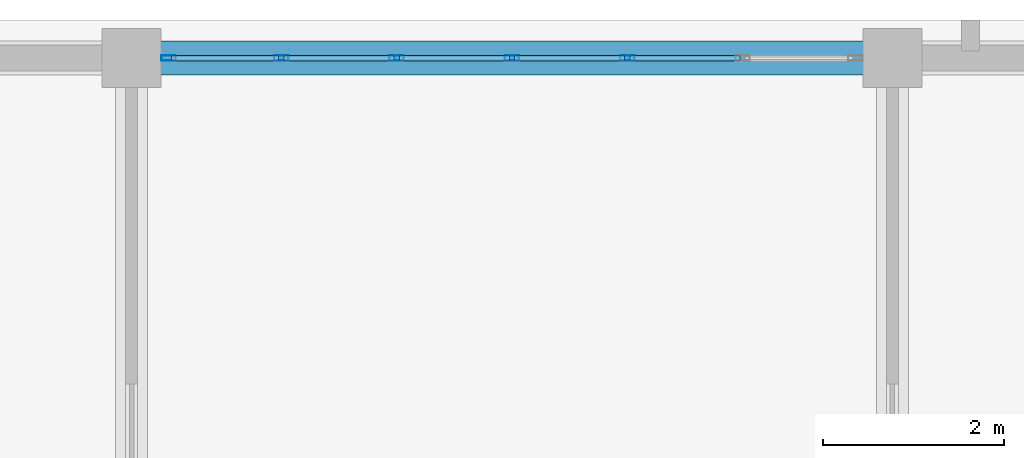
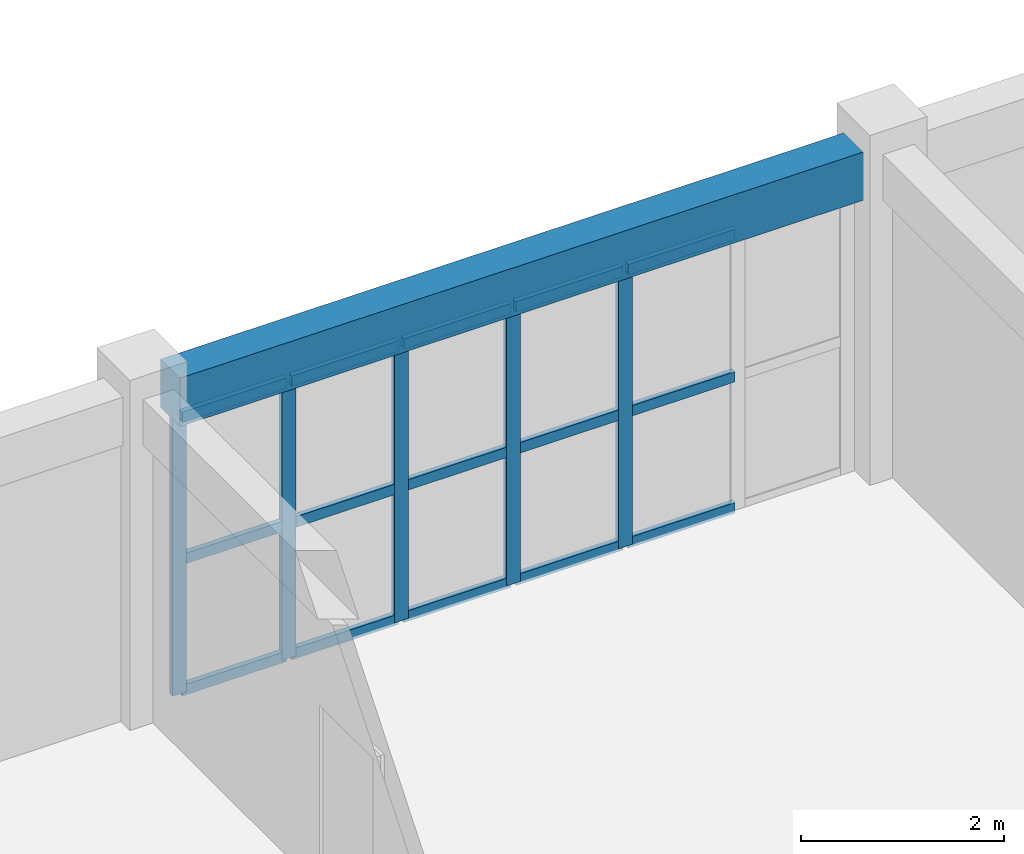
# One storey, part 41 of 90: 20 members, 1 beam, 1 element without a shape of its own.
"""IFC4 building model written with IfcOpenShell, lengths in metres."""

from ifc_helpers import new_model, si_unit, direction, frame, origin, origin_2d, place, context, subcontext, project, spatial, rectangle, hollow_rectangle, extrude, material, layer, layer_set, material_profile, profile_set, type_object, element, aggregate, save


model = new_model("IFC4")

# Units and contexts
model_context = context("Model", 3, precision=1e-05, world=origin(), true_north=direction((0.0, 1.0)))
body_context = subcontext(model_context, "Body", "Model", "MODEL_VIEW")
ifc_project = project(units=[si_unit("LENGTHUNIT", "METRE"), si_unit("AREAUNIT", "SQUARE_METRE"), si_unit("VOLUMEUNIT", "CUBIC_METRE"), si_unit("PLANEANGLEUNIT", "RADIAN"), si_unit("MASSUNIT", "GRAM", prefix="KILO")], contexts=[model_context])

# Site, building, storey
site_placement = place(None, origin())
site = spatial("IfcSite", under=ifc_project, at=site_placement, CompositionType="ELEMENT")
building_placement = place(site_placement, origin())
building = spatial("IfcBuilding", under=site, at=building_placement, Name="Trelvath General Hospital", CompositionType="ELEMENT")
storey_placement = place(building_placement, frame((0.0, 0.0, 20.39990234375)))
storey = spatial("IfcBuildingStorey", under=building, at=storey_placement, Name="L05", CompositionType="ELEMENT", Elevation=20.39990234375)

# Beam
ifc_material_1 = material(Name="Concrete C35/45", Category="concrete")
ifc_material_profile_1 = material_profile(ifc_material_1, rectangle(XDim=0.3798828125, YDim=0.580078125, at=origin_2d()), Name="RCB380x580")
ifc_profile_set_1 = profile_set([ifc_material_profile_1], Name="Concrete C35/45")
beam_type = type_object("IfcBeamType", Name="Beam RC380x580", PredefinedType="BEAM", material=ifc_profile_set_1)
beam_placement = place(storey_placement, frame((42.320068359375, 117.60009765625, 3.630126953125), z_axis=(1.0, 0.0, 0.0), x_axis=(0.0, 1.0, 0.0)))
element("IfcBeam", 1, at=beam_placement, inside=storey, type_object=beam_type, Name="Grid Beam BX-505O", PredefinedType="BEAM", context=body_context, shape_type="SweptSolid", body=[
    extrude(rectangle(XDim=0.3798828125, YDim=0.580078125, at=origin_2d()), origin(), (0.0, 0.0, 1.0), 7.760009765625),
])

# Curtain wall, members
ifc_material_2 = material(Name="Anodised aluminium and low-E glass", Category="aluminium")
ifc_layer = layer(ifc_material_2, 0.14990234375)
ifc_layer_set = layer_set([ifc_layer], Name="Anodised aluminium and low-E glass")
curtain_wall_type = type_object("IfcCurtainWallType", Name="CW Facade 764 334 15", PredefinedType="USERDEFINED", material=ifc_layer_set)
curtain_wall_placement = place(storey_placement, origin())
curtain_wall = element("IfcCurtainWall", 2, at=curtain_wall_placement, inside=storey, type_object=curtain_wall_type, Name="Facade Curtain Wall CW-069", ObjectType="Unitised Glazed Curtain Wall", PredefinedType="USERDEFINED")
ifc_material_3 = material(Name="Anodised aluminium", Category="aluminium")
ifc_material_profile_2 = material_profile(ifc_material_3, hollow_rectangle(XDim=0.06005859375, YDim=0.159912109375, WallThickness=0.00390625, at=origin_2d()), Name="RHS60x160x4")
ifc_profile_set_2 = profile_set([ifc_material_profile_2], Name="Anodised aluminium")
member_type_1 = type_object("IfcMemberType", Name="CurtainMullion 60x160", PredefinedType="MULLION", material=ifc_profile_set_2)
member_1_placement = place(storey_placement, frame((42.409912109375, 117.60009765625, 0.0), z_axis=(0.0, 0.0, 1.0), x_axis=(0.0, 1.0, 0.0)))
member_1 = element("IfcMember", 3, at=member_1_placement, type_object=member_type_1, Name="CW-069 mullion 1", PredefinedType="MULLION", context=body_context, shape_type="SweptSolid", body=[
    extrude(hollow_rectangle(XDim=0.06005859375, YDim=0.159912109375, WallThickness=0.00390625, at=origin_2d()), origin(), (0.0, 0.0, 1.0), 3.340087890625),
])
member_2_placement = place(storey_placement, frame((43.6533203125, 117.60009765625, 0.0), z_axis=(0.0, 0.0, 1.0), x_axis=(0.0, 1.0, 0.0)))
member_2 = element("IfcMember", 4, at=member_2_placement, type_object=member_type_1, Name="CW-069 mullion 2", PredefinedType="MULLION", context=body_context, shape_type="SweptSolid", body=[
    extrude(hollow_rectangle(XDim=0.06005859375, YDim=0.159912109375, WallThickness=0.00390625, at=origin_2d()), origin(), (0.0, 0.0, 1.0), 3.340087890625),
])
member_3_placement = place(storey_placement, frame((44.9267578125, 117.60009765625, 0.0), z_axis=(0.0, 0.0, 1.0), x_axis=(0.0, 1.0, 0.0)))
member_3 = element("IfcMember", 5, at=member_3_placement, type_object=member_type_1, Name="CW-069 mullion 3", PredefinedType="MULLION", context=body_context, shape_type="SweptSolid", body=[
    extrude(hollow_rectangle(XDim=0.06005859375, YDim=0.159912109375, WallThickness=0.00390625, at=origin_2d()), origin(), (0.0, 0.0, 1.0), 3.340087890625),
])
member_4_placement = place(storey_placement, frame((46.199951171875, 117.60009765625, 0.0), z_axis=(0.0, 0.0, 1.0), x_axis=(0.0, 1.0, 0.0)))
member_4 = element("IfcMember", 6, at=member_4_placement, type_object=member_type_1, Name="CW-069 mullion 4", PredefinedType="MULLION", context=body_context, shape_type="SweptSolid", body=[
    extrude(hollow_rectangle(XDim=0.06005859375, YDim=0.159912109375, WallThickness=0.00390625, at=origin_2d()), origin(), (0.0, 0.0, 1.0), 3.340087890625),
])
member_5_placement = place(storey_placement, frame((47.473388671875, 117.60009765625, 0.0), z_axis=(0.0, 0.0, 1.0), x_axis=(0.0, 1.0, 0.0)))
member_5 = element("IfcMember", 7, at=member_5_placement, type_object=member_type_1, Name="CW-069 mullion 5", PredefinedType="MULLION", context=body_context, shape_type="SweptSolid", body=[
    extrude(hollow_rectangle(XDim=0.06005859375, YDim=0.159912109375, WallThickness=0.00390625, at=origin_2d()), origin(), (0.0, 0.0, 1.0), 3.340087890625),
])
ifc_material_4 = material(Name="Anodised aluminium", Category="aluminium")
ifc_material_profile_3 = material_profile(ifc_material_4, hollow_rectangle(XDim=0.06005859375, YDim=0.125, WallThickness=0.00390625, at=origin_2d()), Name="RHS60x125x4")
ifc_profile_set_3 = profile_set([ifc_material_profile_3], Name="Anodised aluminium")
member_type_2 = type_object("IfcMemberType", Name="CurtainTransom 60x125", PredefinedType="USERDEFINED", material=ifc_profile_set_3)
member_6_placement = place(storey_placement, frame((42.43994140625, 117.60009765625, 0.030029296875), z_axis=(1.0, 0.0, 0.0), x_axis=(0.0, 1.0, 0.0)))
member_6 = element("IfcMember", 8, at=member_6_placement, type_object=member_type_2, Name="CW-069 transom 1.1", ObjectType="TRANSOM", PredefinedType="USERDEFINED", context=body_context, shape_type="SweptSolid", body=[
    extrude(hollow_rectangle(XDim=0.06005859375, YDim=0.125, WallThickness=0.00390625, at=origin_2d()), origin(), (0.0, 0.0, 1.0), 1.183349609375),
])
member_7_placement = place(storey_placement, frame((42.43994140625, 117.60009765625, 1.60302734375), z_axis=(1.0, 0.0, 0.0), x_axis=(0.0, 1.0, 0.0)))
member_7 = element("IfcMember", 9, at=member_7_placement, type_object=member_type_2, Name="CW-069 transom 1.2", ObjectType="TRANSOM", PredefinedType="USERDEFINED", context=body_context, shape_type="SweptSolid", body=[
    extrude(hollow_rectangle(XDim=0.06005859375, YDim=0.125, WallThickness=0.00390625, at=origin_2d()), origin(), (0.0, 0.0, 1.0), 1.183349609375),
])
member_8_placement = place(storey_placement, frame((42.43994140625, 117.60009765625, 3.31005859375), z_axis=(1.0, 0.0, 0.0), x_axis=(0.0, 1.0, 0.0)))
member_8 = element("IfcMember", 10, at=member_8_placement, type_object=member_type_2, Name="CW-069 transom 1.3", ObjectType="TRANSOM", PredefinedType="USERDEFINED", context=body_context, shape_type="SweptSolid", body=[
    extrude(hollow_rectangle(XDim=0.06005859375, YDim=0.125, WallThickness=0.00390625, at=origin_2d()), origin(), (0.0, 0.0, 1.0), 1.183349609375),
])
member_9_placement = place(storey_placement, frame((43.683349609375, 117.60009765625, 0.030029296875), z_axis=(1.0, 0.0, 0.0), x_axis=(0.0, 1.0, 0.0)))
member_9 = element("IfcMember", 11, at=member_9_placement, type_object=member_type_2, Name="CW-069 transom 2.1", ObjectType="TRANSOM", PredefinedType="USERDEFINED", context=body_context, shape_type="SweptSolid", body=[
    extrude(hollow_rectangle(XDim=0.06005859375, YDim=0.125, WallThickness=0.00390625, at=origin_2d()), origin(), (0.0, 0.0, 1.0), 1.21337890625),
])
member_10_placement = place(storey_placement, frame((43.683349609375, 117.60009765625, 1.60302734375), z_axis=(1.0, 0.0, 0.0), x_axis=(0.0, 1.0, 0.0)))
member_10 = element("IfcMember", 12, at=member_10_placement, type_object=member_type_2, Name="CW-069 transom 2.2", ObjectType="TRANSOM", PredefinedType="USERDEFINED", context=body_context, shape_type="SweptSolid", body=[
    extrude(hollow_rectangle(XDim=0.06005859375, YDim=0.125, WallThickness=0.00390625, at=origin_2d()), origin(), (0.0, 0.0, 1.0), 1.21337890625),
])
member_11_placement = place(storey_placement, frame((43.683349609375, 117.60009765625, 3.31005859375), z_axis=(1.0, 0.0, 0.0), x_axis=(0.0, 1.0, 0.0)))
member_11 = element("IfcMember", 13, at=member_11_placement, type_object=member_type_2, Name="CW-069 transom 2.3", ObjectType="TRANSOM", PredefinedType="USERDEFINED", context=body_context, shape_type="SweptSolid", body=[
    extrude(hollow_rectangle(XDim=0.06005859375, YDim=0.125, WallThickness=0.00390625, at=origin_2d()), origin(), (0.0, 0.0, 1.0), 1.21337890625),
])
member_12_placement = place(storey_placement, frame((44.956787109375, 117.60009765625, 0.030029296875), z_axis=(1.0, 0.0, 0.0), x_axis=(0.0, 1.0, 0.0)))
member_12 = element("IfcMember", 14, at=member_12_placement, type_object=member_type_2, Name="CW-069 transom 3.1", ObjectType="TRANSOM", PredefinedType="USERDEFINED", context=body_context, shape_type="SweptSolid", body=[
    extrude(hollow_rectangle(XDim=0.06005859375, YDim=0.125, WallThickness=0.00390625, at=origin_2d()), origin(), (0.0, 0.0, 1.0), 1.213134765625),
])
member_13_placement = place(storey_placement, frame((44.956787109375, 117.60009765625, 1.60302734375), z_axis=(1.0, 0.0, 0.0), x_axis=(0.0, 1.0, 0.0)))
member_13 = element("IfcMember", 15, at=member_13_placement, type_object=member_type_2, Name="CW-069 transom 3.2", ObjectType="TRANSOM", PredefinedType="USERDEFINED", context=body_context, shape_type="SweptSolid", body=[
    extrude(hollow_rectangle(XDim=0.06005859375, YDim=0.125, WallThickness=0.00390625, at=origin_2d()), origin(), (0.0, 0.0, 1.0), 1.213134765625),
])
member_14_placement = place(storey_placement, frame((44.956787109375, 117.60009765625, 3.31005859375), z_axis=(1.0, 0.0, 0.0), x_axis=(0.0, 1.0, 0.0)))
member_14 = element("IfcMember", 16, at=member_14_placement, type_object=member_type_2, Name="CW-069 transom 3.3", ObjectType="TRANSOM", PredefinedType="USERDEFINED", context=body_context, shape_type="SweptSolid", body=[
    extrude(hollow_rectangle(XDim=0.06005859375, YDim=0.125, WallThickness=0.00390625, at=origin_2d()), origin(), (0.0, 0.0, 1.0), 1.213134765625),
])
member_15_placement = place(storey_placement, frame((46.22998046875, 117.60009765625, 0.030029296875), z_axis=(1.0, 0.0, 0.0), x_axis=(0.0, 1.0, 0.0)))
member_15 = element("IfcMember", 17, at=member_15_placement, type_object=member_type_2, Name="CW-069 transom 4.1", ObjectType="TRANSOM", PredefinedType="USERDEFINED", context=body_context, shape_type="SweptSolid", body=[
    extrude(hollow_rectangle(XDim=0.06005859375, YDim=0.125, WallThickness=0.00390625, at=origin_2d()), origin(), (0.0, 0.0, 1.0), 1.21337890625),
])
member_16_placement = place(storey_placement, frame((46.22998046875, 117.60009765625, 1.60302734375), z_axis=(1.0, 0.0, 0.0), x_axis=(0.0, 1.0, 0.0)))
member_16 = element("IfcMember", 18, at=member_16_placement, type_object=member_type_2, Name="CW-069 transom 4.2", ObjectType="TRANSOM", PredefinedType="USERDEFINED", context=body_context, shape_type="SweptSolid", body=[
    extrude(hollow_rectangle(XDim=0.06005859375, YDim=0.125, WallThickness=0.00390625, at=origin_2d()), origin(), (0.0, 0.0, 1.0), 1.21337890625),
])
member_17_placement = place(storey_placement, frame((46.22998046875, 117.60009765625, 3.31005859375), z_axis=(1.0, 0.0, 0.0), x_axis=(0.0, 1.0, 0.0)))
member_17 = element("IfcMember", 19, at=member_17_placement, type_object=member_type_2, Name="CW-069 transom 4.3", ObjectType="TRANSOM", PredefinedType="USERDEFINED", context=body_context, shape_type="SweptSolid", body=[
    extrude(hollow_rectangle(XDim=0.06005859375, YDim=0.125, WallThickness=0.00390625, at=origin_2d()), origin(), (0.0, 0.0, 1.0), 1.21337890625),
])
member_18_placement = place(storey_placement, frame((47.50341796875, 117.60009765625, 0.030029296875), z_axis=(1.0, 0.0, 0.0), x_axis=(0.0, 1.0, 0.0)))
member_18 = element("IfcMember", 20, at=member_18_placement, type_object=member_type_2, Name="CW-069 transom 5.1", ObjectType="TRANSOM", PredefinedType="USERDEFINED", context=body_context, shape_type="SweptSolid", body=[
    extrude(hollow_rectangle(XDim=0.06005859375, YDim=0.125, WallThickness=0.00390625, at=origin_2d()), origin(), (0.0, 0.0, 1.0), 1.213134765625),
])
member_19_placement = place(storey_placement, frame((47.50341796875, 117.60009765625, 1.60302734375), z_axis=(1.0, 0.0, 0.0), x_axis=(0.0, 1.0, 0.0)))
member_19 = element("IfcMember", 21, at=member_19_placement, type_object=member_type_2, Name="CW-069 transom 5.2", ObjectType="TRANSOM", PredefinedType="USERDEFINED", context=body_context, shape_type="SweptSolid", body=[
    extrude(hollow_rectangle(XDim=0.06005859375, YDim=0.125, WallThickness=0.00390625, at=origin_2d()), origin(), (0.0, 0.0, 1.0), 1.213134765625),
])
member_20_placement = place(storey_placement, frame((47.50341796875, 117.60009765625, 3.31005859375), z_axis=(1.0, 0.0, 0.0), x_axis=(0.0, 1.0, 0.0)))
member_20 = element("IfcMember", 22, at=member_20_placement, type_object=member_type_2, Name="CW-069 transom 5.3", ObjectType="TRANSOM", PredefinedType="USERDEFINED", context=body_context, shape_type="SweptSolid", body=[
    extrude(hollow_rectangle(XDim=0.06005859375, YDim=0.125, WallThickness=0.00390625, at=origin_2d()), origin(), (0.0, 0.0, 1.0), 1.213134765625),
])
aggregate(curtain_wall, [member_1, member_2, member_3, member_4, member_5, member_6, member_7, member_8, member_9, member_10, member_11, member_12, member_13, member_14, member_15, member_16, member_17, member_18, member_19, member_20])

save(model, "model.ifc")
